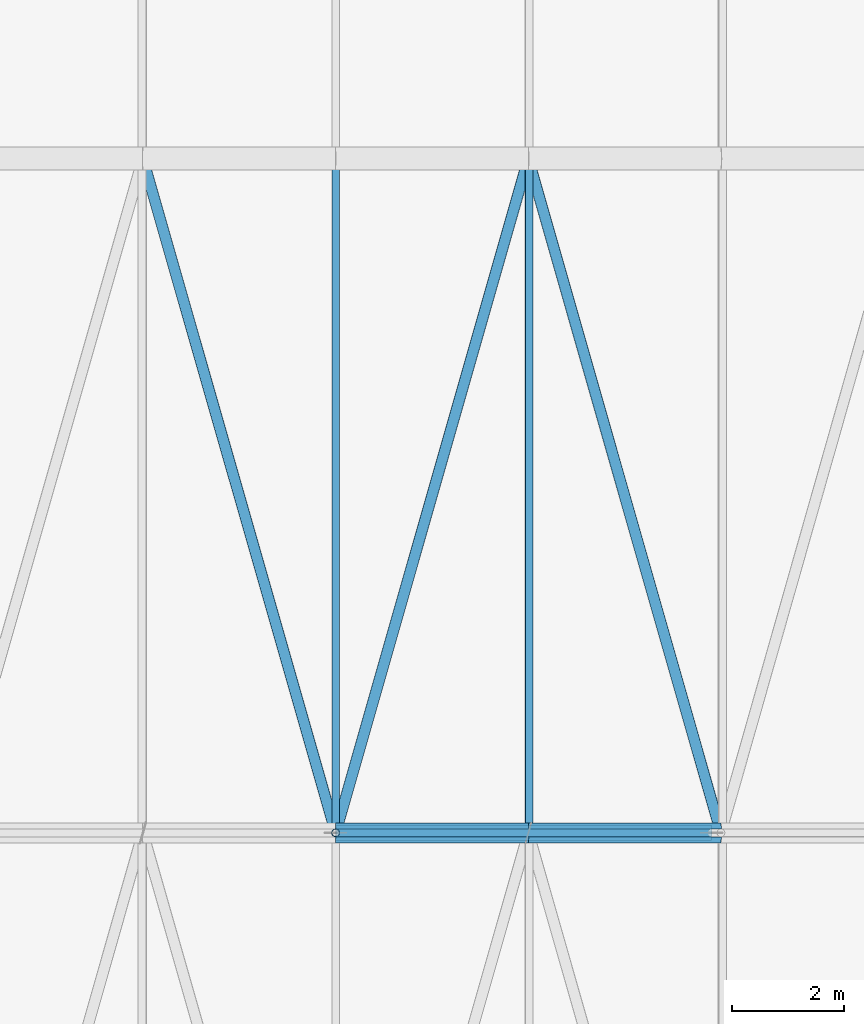
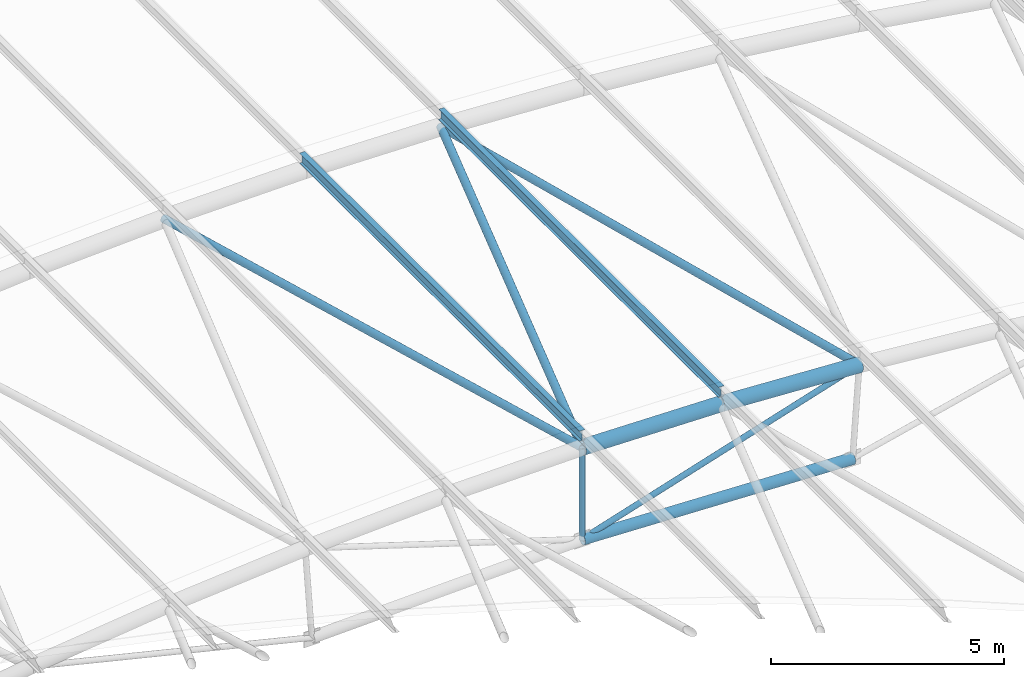
# One storey, part 13 of 91: 10 members.
"""IFC4 building model written with IfcOpenShell, lengths in metres."""

from ifc_helpers import new_model, si_unit, direction, frame, origin, origin_2d, place, context, subcontext, project, spatial, hollow_circle, i_section, extrude, material, material_profile, profile_set, type_object, element, save


model = new_model("IFC4")

# Units and contexts
model_context = context("Model", 3, precision=1e-05, world=origin(), true_north=direction((0.0, 1.0)))
body_context = subcontext(model_context, "Body", "Model", "MODEL_VIEW")
ifc_project = project(units=[si_unit("LENGTHUNIT", "METRE"), si_unit("AREAUNIT", "SQUARE_METRE"), si_unit("VOLUMEUNIT", "CUBIC_METRE"), si_unit("PLANEANGLEUNIT", "RADIAN"), si_unit("MASSUNIT", "GRAM", prefix="KILO")], contexts=[model_context])

# Site, building, storey
site_placement = place(None, origin())
site = spatial("IfcSite", under=ifc_project, at=site_placement, CompositionType="ELEMENT")
building_placement = place(site_placement, origin())
building = spatial("IfcBuilding", under=site, at=building_placement, Name="Ravi Spectrum Wholesale Market", CompositionType="ELEMENT")
storey_placement = place(building_placement, frame((0.0, 0.0, 16.199951171875)))
storey = spatial("IfcBuildingStorey", under=building, at=storey_placement, Name="ROOF PLANT LEVEL", CompositionType="ELEMENT", Elevation=16.199951171875)

# Members
ifc_material_1 = material(Name="Steel S355", Category="steel")
ifc_material_profile_1 = material_profile(ifc_material_1, hollow_circle(Radius=0.06982421875, WallThickness=0.0048828125, at=origin_2d()))
ifc_profile_set_1 = profile_set([ifc_material_profile_1], Name="Steel S355")
member_type_1 = type_object("IfcMemberType", Name="CHS 139.7x5 brace", PredefinedType="BRACE", material=ifc_profile_set_1)
member_1_placement = place(storey_placement, frame((76.857177734375, 114.0, 2.788818359375), z_axis=(-0.953666273238, 0.0, -0.300866480833), x_axis=(0.0, -1.0, 0.0)))
element("IfcMember", 1, at=member_1_placement, inside=storey, type_object=member_type_1, Name="H1-MB-L02-638", PredefinedType="BRACE", context=body_context, shape_type="SweptSolid", body=[
    extrude(hollow_circle(Radius=0.06982421875, WallThickness=0.0048828125, at=origin_2d()), origin(), (0.0, 0.0, 1.0), 7.1904296875),
])
ifc_material_2 = material(Name="Steel S355", Category="steel")
ifc_material_profile_2 = material_profile(ifc_material_2, hollow_circle(Radius=0.06982421875, WallThickness=0.0048828125, at=origin_2d()))
ifc_profile_set_2 = profile_set([ifc_material_profile_2], Name="Steel S355")
member_type_2 = type_object("IfcMemberType", Name="CHS 139.7x5 post", PredefinedType="POST", material=ifc_profile_set_2)
member_2_placement = place(storey_placement, frame((70.0, 114.0, 3.025390625), z_axis=(0.0, 0.0, -1.0), x_axis=(1.0, 0.0, 0.0)))
element("IfcMember", 2, at=member_2_placement, inside=storey, type_object=member_type_2, Name="H1-MB-L02-627", PredefinedType="POST", context=body_context, shape_type="SweptSolid", body=[
    extrude(hollow_circle(Radius=0.06982421875, WallThickness=0.0048828125, at=origin_2d()), origin(), (0.0, 0.0, 1.0), 2.39990234375),
])
ifc_material_3 = material(Name="Steel S355", Category="steel")
ifc_material_profile_3 = material_profile(ifc_material_3, hollow_circle(Radius=0.096923828125, WallThickness=0.00634765625, at=origin_2d()))
ifc_profile_set_3 = profile_set([ifc_material_profile_3], Name="Steel S355")
member_type_3 = type_object("IfcMemberType", Name="CHS 193.7x6.3 brace", PredefinedType="BRACE", material=ifc_profile_set_3)
for number, where, z_axis, x_axis, name in (
    (3, (66.5703125, 126.0, 2.94091796875), (0.274797508773, -0.961478299488, 0.006768218824), (0.961500322321, 0.274803803059, 0.0), "H1-MB-L02-1667"),
    (4, (70.0, 114.0, 3.025390625), (0.274797508773, 0.961478299488, -0.006768218824), (-0.961500322321, 0.274803803059, 0.0), "H1-MB-L02-1668"),
    (5, (73.4296875, 126.0, 2.94091796875), (0.274620635621, -0.961475424321, -0.012186669705), (0.961546828996, 0.274641030523, 0.0), "H1-MB-L02-1669"),
):
    element("IfcMember", number, at=place(storey_placement, frame(where, z_axis=z_axis, x_axis=x_axis)), inside=storey, type_object=member_type_3, Name=name, PredefinedType="BRACE", context=body_context, shape_type="SweptSolid", body=[
        extrude(hollow_circle(Radius=0.096923828125, WallThickness=0.00634765625, at=origin_2d()), origin(), (0.0, 0.0, 1.0), 12.480712890625),
    ])
ifc_material_4 = material(Name="Steel S355", Category="steel")
ifc_material_profile_4 = material_profile(ifc_material_4, hollow_circle(Radius=0.136474609375, WallThickness=0.010009765625, at=origin_2d()))
ifc_profile_set_4 = profile_set([ifc_material_profile_4], Name="Steel S355")
member_type_4 = type_object("IfcMemberType", Name="CHS 273x10 chord", PredefinedType="CHORD", material=ifc_profile_set_4)
member_3_placement = place(storey_placement, frame((70.0, 114.0, 0.62548828125), z_axis=(0.999404959621, 0.0, -0.034492414878), x_axis=(0.0, 1.0, 0.0)))
element("IfcMember", 6, at=member_3_placement, inside=storey, type_object=member_type_4, Name="H1-MB-L02-616", PredefinedType="CHORD", context=body_context, shape_type="SweptSolid", body=[
    extrude(hollow_circle(Radius=0.136474609375, WallThickness=0.010009765625, at=origin_2d()), origin(), (0.0, 0.0, 1.0), 6.69580078125),
])
ifc_material_5 = material(Name="Steel S355", Category="steel")
ifc_material_profile_5 = material_profile(ifc_material_5, hollow_circle(Radius=0.177734375, WallThickness=0.012451171875, at=origin_2d()))
ifc_profile_set_5 = profile_set([ifc_material_profile_5], Name="Steel S355")
member_type_5 = type_object("IfcMemberType", Name="CHS 355.6x12.5 chord", PredefinedType="CHORD", material=ifc_profile_set_5)
for number, where, z_axis, x_axis, name in (
    (7, (70.0, 114.0, 3.025390625), (0.99985173868, 0.0, -0.017219194475), (0.0, 1.0, 0.0), "H1-MB-L02-598"),
    (8, (73.4306640625, 114.0, 2.96630859375), (0.998661121681, 0.0, -0.051729721087), (0.0, 1.0, 0.0), "H1-MB-L02-599"),
):
    element("IfcMember", number, at=place(storey_placement, frame(where, z_axis=z_axis, x_axis=x_axis)), inside=storey, type_object=member_type_5, Name=name, PredefinedType="CHORD", context=body_context, shape_type="SweptSolid", body=[
        extrude(hollow_circle(Radius=0.177734375, WallThickness=0.012451171875, at=origin_2d()), origin(), (0.0, 0.0, 1.0), 3.43115234375),
    ])
ifc_material_6 = material(Name="Steel S355", Category="steel")
ifc_material_profile_6 = material_profile(ifc_material_6, i_section(OverallWidth=0.135009765625, OverallDepth=0.27001953125, WebThickness=0.006591796875, FlangeThickness=0.01025390625, at=origin_2d()))
ifc_profile_set_6 = profile_set([ifc_material_profile_6], Name="Steel S355")
member_type_6 = type_object("IfcMemberType", Name="IPE 270 purlin", PredefinedType="PURLIN", material=ifc_profile_set_6)
for number, where, z_axis, x_axis, name in (
    (9, (70.0, 114.0, 3.338134765625), (0.0, 1.0, 0.0), (-1.0, 0.0, 0.0), "H1-MB-L02-1421"),
    (10, (73.44140625, 114.0, 3.27880859375), (0.0, 1.0, 0.0), (-0.999404978812, 0.0, 0.034491858836), "H1-MB-L02-1422"),
):
    element("IfcMember", number, at=place(storey_placement, frame(where, z_axis=z_axis, x_axis=x_axis)), inside=storey, type_object=member_type_6, Name=name, PredefinedType="PURLIN", context=body_context, shape_type="SweptSolid", body=[
        extrude(i_section(OverallWidth=0.135009765625, OverallDepth=0.27001953125, WebThickness=0.006591796875, FlangeThickness=0.01025390625, at=origin_2d()), origin(), (0.0, 0.0, 1.0), 12.0),
    ])

save(model, "model.ifc")
